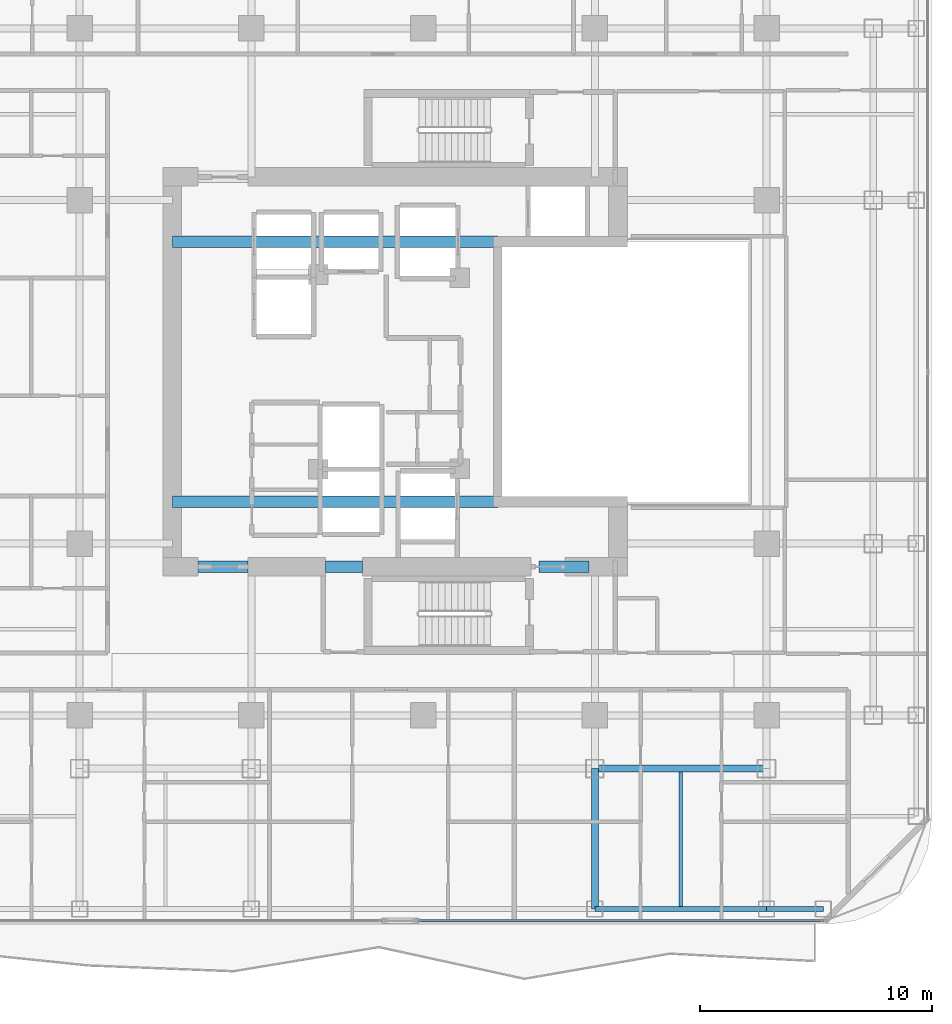
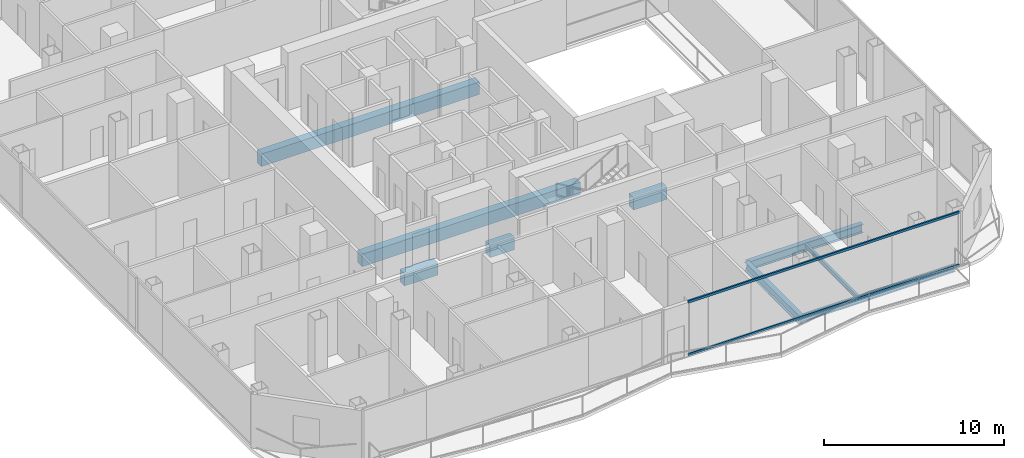
# One storey, part 6 of 27: 10 beams, 2 members, 1 element without a shape of its own.
"""IFC4 building model written with IfcOpenShell, lengths in metres."""

from ifc_helpers import new_model, si_unit, direction, frame, origin, origin_2d, place, context, subcontext, project, spatial, rectangle, hollow_rectangle, i_section, extrude, material, layer, layer_set, material_profile, profile_set, type_object, element, aggregate, save


model = new_model("IFC4")

# Units and contexts
model_context = context("Model", 3, precision=1e-05, world=origin(), true_north=direction((0.0, 1.0)))
body_context = subcontext(model_context, "Body", "Model", "MODEL_VIEW")
ifc_project = project(units=[si_unit("LENGTHUNIT", "METRE"), si_unit("AREAUNIT", "SQUARE_METRE"), si_unit("VOLUMEUNIT", "CUBIC_METRE"), si_unit("PLANEANGLEUNIT", "RADIAN"), si_unit("MASSUNIT", "GRAM", prefix="KILO")], contexts=[model_context])

# Site, building, storey
site_placement = place(None, origin())
site = spatial("IfcSite", under=ifc_project, at=site_placement, CompositionType="ELEMENT")
building_placement = place(site_placement, origin())
building = spatial("IfcBuilding", under=site, at=building_placement, Name="Khorvyn Point Tower", CompositionType="ELEMENT")
storey_placement = place(building_placement, frame((0.0, 0.0, 179.699951171875)))
storey = spatial("IfcBuildingStorey", under=building, at=storey_placement, Name="L44", CompositionType="ELEMENT", Elevation=179.699951171875)

# Curtain wall, members
ifc_material_1 = material(Name="Anodised aluminium 6063-T6 and laminated Low-E glass", Category="aluminium")
ifc_layer = layer(ifc_material_1, 0.18994140625)
ifc_layer_set = layer_set([ifc_layer], Name="Stick-Built Acoustic Curtain Wall CW-SYS-03")
curtain_wall_type = type_object("IfcCurtainWallType", Name="Stick-Built Acoustic Curtain Wall CW-SYS-03", PredefinedType="NOTDEFINED", material=ifc_layer_set)
curtain_wall_placement = place(storey_placement, origin())
curtain_wall = element("IfcCurtainWall", 1, at=curtain_wall_placement, inside=storey, type_object=curtain_wall_type, Name="Curtain Wall", PredefinedType="NOTDEFINED")
ifc_material_2 = material(Name="Anodised aluminium 6063-T6", Category="aluminium")
ifc_material_profile_1 = material_profile(ifc_material_2, hollow_rectangle(XDim=0.10009765625, YDim=0.159912109375, WallThickness=0.00439453125, at=origin_2d()))
ifc_profile_set_1 = profile_set([ifc_material_profile_1], Name="Anodised aluminium 6063-T6 ALU-TRN-100x160")
member_type = type_object("IfcMemberType", Name="Anodised Aluminium 6063-T6 Transom ALU-TRN-100x160", PredefinedType="USERDEFINED", material=ifc_profile_set_1)
member_1_placement = place(storey_placement, frame((17.25, -23.64990234375, 0.050048828125), z_axis=(-1.0, 0.0, 0.0), x_axis=(0.0, -1.0, 0.0)))
member_1 = element("IfcMember", 2, at=member_1_placement, type_object=member_type, Name="Transom", ObjectType="TRANSOM", PredefinedType="USERDEFINED", context=body_context, shape_type="SweptSolid", body=[
    extrude(hollow_rectangle(XDim=0.10009765625, YDim=0.159912109375, WallThickness=0.00439453125, at=origin_2d()), origin(), (0.0, 0.0, 1.0), 17.416015625),
])
member_2_placement = place(storey_placement, frame((17.25, -23.64990234375, 3.630126953125), z_axis=(-1.0, 0.0, 0.0), x_axis=(0.0, -1.0, 0.0)))
member_2 = element("IfcMember", 3, at=member_2_placement, type_object=member_type, Name="Transom", ObjectType="TRANSOM", PredefinedType="USERDEFINED", context=body_context, shape_type="SweptSolid", body=[
    extrude(hollow_rectangle(XDim=0.10009765625, YDim=0.159912109375, WallThickness=0.00439453125, at=origin_2d()), origin(), (0.0, 0.0, 1.0), 17.416015625),
])
aggregate(curtain_wall, [member_1, member_2])

# Beams
ifc_material_3 = material(Name="Concrete C45/55", Category="concrete")
ifc_material_profile_2 = material_profile(ifc_material_3, rectangle(XDim=0.5, YDim=0.85009765625, at=origin_2d()))
ifc_profile_set_2 = profile_set([ifc_material_profile_2], Name="Concrete C45/55 RC500x850")
beam_type_1 = type_object("IfcBeamType", Name="Concrete C45/55 Beam RC500x850", PredefinedType="BEAM", material=ifc_profile_set_2)
for number, where, z_axis, x_axis, name in (
    (4, (-10.800048828125, -5.60009765625, -0.64501953125), (1.0, 0.0, 0.0), (0.0, 1.0, 0.0), "L44 Core Internal Tie Girder S"),
    (5, (-10.800048828125, 5.60009765625, -0.64501953125), (1.0, 0.0, 0.0), (0.0, 1.0, 0.0), "L44 Core Internal Tie Girder N"),
):
    element("IfcBeam", number, at=place(storey_placement, frame(where, z_axis=z_axis, x_axis=x_axis)), inside=storey, type_object=beam_type_1, Name=name, PredefinedType="BEAM", context=body_context, shape_type="SweptSolid", body=[
        extrude(rectangle(XDim=0.5, YDim=0.85009765625, at=origin_2d()), origin(), (0.0, 0.0, 1.0), 14.02001953125),
    ])
beam_1_placement = place(storey_placement, frame((-9.699951171875, -8.39990234375, -0.64501953125), z_axis=(1.0, 0.0, 0.0), x_axis=(0.0, 1.0, 0.0)))
element("IfcBeam", 6, at=beam_1_placement, inside=storey, type_object=beam_type_1, Name="L44 Core Southwest Portal Coupling Beam", PredefinedType="BEAM", context=body_context, shape_type="SweptSolid", body=[
    extrude(rectangle(XDim=0.5, YDim=0.85009765625, at=origin_2d()), origin(), (0.0, 0.0, 1.0), 2.14990234375),
])
beam_2_placement = place(storey_placement, frame((-4.199951171875, -8.39990234375, -0.64501953125), z_axis=(1.0, 0.0, 0.0), x_axis=(0.0, 1.0, 0.0)))
element("IfcBeam", 7, at=beam_2_placement, inside=storey, type_object=beam_type_1, Name="L44 Core Shuttle Portal Coupling Beam", PredefinedType="BEAM", context=body_context, shape_type="SweptSolid", body=[
    extrude(rectangle(XDim=0.5, YDim=0.85009765625, at=origin_2d()), origin(), (0.0, 0.0, 1.0), 1.579833984375),
])
beam_3_placement = place(storey_placement, frame((5.0, -8.39990234375, -0.64501953125), z_axis=(1.0, 0.0, 0.0), x_axis=(0.0, 1.0, 0.0)))
element("IfcBeam", 8, at=beam_3_placement, inside=storey, type_object=beam_type_1, Name="L44 Core Southeast Portal Coupling Beam", PredefinedType="BEAM", context=body_context, shape_type="SweptSolid", body=[
    extrude(rectangle(XDim=0.5, YDim=0.85009765625, at=origin_2d()), origin(), (0.0, 0.0, 1.0), 2.14990234375),
])
ifc_material_4 = material(Name="Steel S355", Category="steel")
ifc_material_profile_3 = material_profile(ifc_material_4, i_section(OverallWidth=0.300048828125, OverallDepth=0.587890625, WebThickness=0.011962890625, FlangeThickness=0.02001953125, at=origin_2d()))
ifc_profile_set_3 = profile_set([ifc_material_profile_3], Name="Steel S355 H588x300x12x20")
beam_type_2 = type_object("IfcBeamType", Name="Steel S355 Beam H588x300x12x20", PredefinedType="BEAM", material=ifc_profile_set_3)
beam_4_placement = place(storey_placement, frame((7.39990234375, -17.10009765625, -0.513916015625), z_axis=(1.0, 0.0, 0.0), x_axis=(0.0, 1.0, 0.0)))
element("IfcBeam", 9, at=beam_4_placement, inside=storey, type_object=beam_type_2, Name="Beam", PredefinedType="BEAM", context=body_context, shape_type="SweptSolid", body=[
    extrude(i_section(OverallWidth=0.300048828125, OverallDepth=0.587890625, WebThickness=0.011962890625, FlangeThickness=0.02001953125, at=origin_2d()), origin(), (0.0, 0.0, 1.0), 7.400146484375),
])
beam_5_placement = place(storey_placement, frame((7.39990234375, -23.14990234375, -0.513916015625), z_axis=(0.0, 1.0, 0.0), x_axis=(-1.0, 0.0, 0.0)))
element("IfcBeam", 10, at=beam_5_placement, inside=storey, type_object=beam_type_2, Name="Beam", PredefinedType="BEAM", context=body_context, shape_type="SweptSolid", body=[
    extrude(i_section(OverallWidth=0.300048828125, OverallDepth=0.587890625, WebThickness=0.011962890625, FlangeThickness=0.02001953125, at=origin_2d()), origin(), (0.0, 0.0, 1.0), 6.0498046875),
])
ifc_material_profile_4 = material_profile(ifc_material_4, i_section(OverallWidth=0.14990234375, OverallDepth=0.300048828125, WebThickness=0.006591796875, FlangeThickness=0.009033203125, at=origin_2d()))
ifc_profile_set_4 = profile_set([ifc_material_profile_4], Name="Steel S355 H300x150x6.5x9")
beam_type_3 = type_object("IfcBeamType", Name="Steel S355 Joist H300x150x6.5x9", PredefinedType="JOIST", material=ifc_profile_set_4)
beam_6_placement = place(storey_placement, frame((11.10009765625, -23.050048828125, -0.369873046875), z_axis=(0.0, 1.0, 0.0), x_axis=(-1.0, 0.0, 0.0)))
element("IfcBeam", 11, at=beam_6_placement, inside=storey, type_object=beam_type_3, Name="Beam", PredefinedType="JOIST", context=body_context, shape_type="SweptSolid", body=[
    extrude(i_section(OverallWidth=0.14990234375, OverallDepth=0.300048828125, WebThickness=0.006591796875, FlangeThickness=0.009033203125, at=origin_2d()), origin(), (0.0, 0.0, 1.0), 5.800048828125),
])
ifc_material_profile_5 = material_profile(ifc_material_4, i_section(OverallWidth=0.199951171875, OverallDepth=0.449951171875, WebThickness=0.009033203125, FlangeThickness=0.013916015625, at=origin_2d()))
ifc_profile_set_5 = profile_set([ifc_material_profile_5], Name="Steel S355 H450x200x9x14")
beam_type_4 = type_object("IfcBeamType", Name="Steel S355 Spandrel H450x200x9x14", PredefinedType="SPANDREL", material=ifc_profile_set_5)
beam_7_placement = place(storey_placement, frame((7.39990234375, -23.14990234375, -0.445068359375), z_axis=(1.0, 0.0, 0.0), x_axis=(0.0, 1.0, 0.0)))
element("IfcBeam", 12, at=beam_7_placement, inside=storey, type_object=beam_type_4, Name="Beam", PredefinedType="SPANDREL", context=body_context, shape_type="SweptSolid", body=[
    extrude(i_section(OverallWidth=0.199951171875, OverallDepth=0.449951171875, WebThickness=0.009033203125, FlangeThickness=0.013916015625, at=origin_2d()), origin(), (0.0, 0.0, 1.0), 7.400146484375),
])
beam_8_placement = place(storey_placement, frame((14.800048828125, -23.14990234375, -0.445068359375), z_axis=(1.0, 0.0, 0.0), x_axis=(0.0, 1.0, 0.0)))
element("IfcBeam", 13, at=beam_8_placement, inside=storey, type_object=beam_type_4, Name="Beam", PredefinedType="SPANDREL", context=body_context, shape_type="SweptSolid", body=[
    extrude(i_section(OverallWidth=0.199951171875, OverallDepth=0.449951171875, WebThickness=0.009033203125, FlangeThickness=0.013916015625, at=origin_2d()), origin(), (0.0, 0.0, 1.0), 2.449951171875),
])

save(model, "model.ifc")
